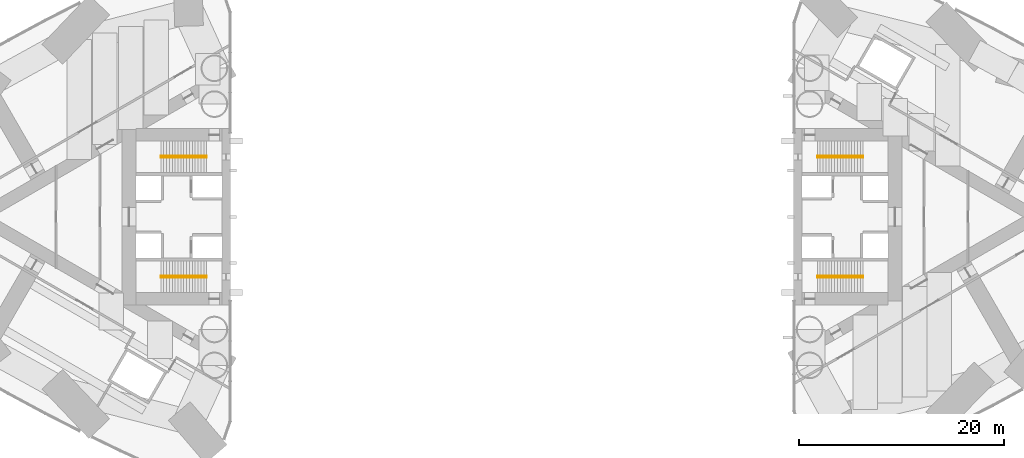
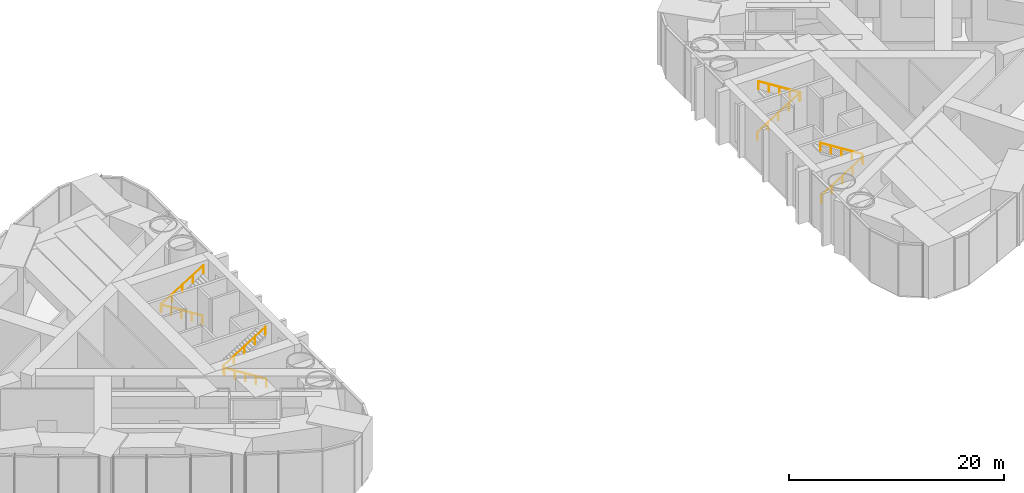
# One storey, part 16 of 16: 8 railings.
"""IFC4 building model written with IfcOpenShell, lengths in metres."""

from ifc_helpers import new_model, si_unit, direction, frame, origin, origin_2d, place, context, subcontext, project, spatial, circle, extrude, material, type_object, element, save


model = new_model("IFC4")

# Units and contexts
model_context = context("Model", 3, precision=1e-05, world=origin(), true_north=direction((0.0, 1.0)))
body_context = subcontext(model_context, "Body", "Model", "MODEL_VIEW")
ifc_project = project(units=[si_unit("LENGTHUNIT", "METRE"), si_unit("AREAUNIT", "SQUARE_METRE"), si_unit("VOLUMEUNIT", "CUBIC_METRE"), si_unit("PLANEANGLEUNIT", "RADIAN"), si_unit("MASSUNIT", "GRAM", prefix="KILO")], contexts=[model_context])

# Site, building, storey
site_placement = place(None, origin())
site = spatial("IfcSite", under=ifc_project, at=site_placement, CompositionType="ELEMENT")
building_placement = place(site_placement, origin())
building = spatial("IfcBuilding", under=site, at=building_placement, Name="Lancet Gate Hotel", CompositionType="ELEMENT")
storey_placement = place(building_placement, frame((0.0, 0.0, 146.699951171875)))
storey = spatial("IfcBuildingStorey", under=building, at=storey_placement, Name="L39", CompositionType="ELEMENT", Elevation=146.699951171875)

# Railings
ifc_material = material(Name="Stainless steel handrail", Category="steel")
railing_type = type_object("IfcRailingType", Name="Stair handrail 900", PredefinedType="HANDRAIL", material=ifc_material)
railing_1_placement = place(storey_placement, frame((-29.800048828125, 5.929931640625, 0.176513671875)))
element("IfcRailing", 1, at=railing_1_placement, inside=storey, type_object=railing_type, Name="ST1 handrail flight 1 L39", PredefinedType="HANDRAIL", context=body_context, shape_type="SweptSolid", body=[
    extrude(circle(Radius=0.02392578125, at=origin_2d()), frame((0.0, 0.0, 0.8759765625), z_axis=(-0.845997938375, 0.0, 0.533186166611), x_axis=(0.0, -1.0, 0.0)), (0.0, 0.0, 1.0), 5.29541015625),
    extrude(circle(Radius=0.02099609375, at=origin_2d()), origin(), (0.0, 0.0, 1.0), 0.851806640625),
    extrude(circle(Radius=0.02099609375, at=origin_2d()), frame((-1.1201171875, 0.0, 0.705810546875)), (0.0, 0.0, 1.0), 0.851806640625),
    extrude(circle(Radius=0.02099609375, at=origin_2d()), frame((-2.239990234375, 0.0, 1.41162109375)), (0.0, 0.0, 1.0), 0.851806640625),
    extrude(circle(Radius=0.02099609375, at=origin_2d()), frame((-3.35986328125, 0.0, 2.11767578125)), (0.0, 0.0, 1.0), 0.851806640625),
    extrude(circle(Radius=0.02099609375, at=origin_2d()), frame((-4.47998046875, 0.0, 2.823486328125)), (0.0, 0.0, 1.0), 0.851806640625),
])
railing_2_placement = place(storey_placement, frame((-34.280029296875, 5.77001953125, 3.176513671875)))
element("IfcRailing", 2, at=railing_2_placement, inside=storey, type_object=railing_type, Name="ST1 handrail flight 2 L39", PredefinedType="HANDRAIL", context=body_context, shape_type="SweptSolid", body=[
    extrude(circle(Radius=0.02392578125, at=origin_2d()), frame((0.0, 0.0, 0.8759765625), z_axis=(0.845997938375, 0.0, 0.533186166611), x_axis=(0.0, 1.0, 0.0)), (0.0, 0.0, 1.0), 5.29541015625),
    extrude(circle(Radius=0.02099609375, at=origin_2d()), origin(), (0.0, 0.0, 1.0), 0.851806640625),
    extrude(circle(Radius=0.02099609375, at=origin_2d()), frame((1.1201171875, 0.0, 0.705810546875)), (0.0, 0.0, 1.0), 0.851806640625),
    extrude(circle(Radius=0.02099609375, at=origin_2d()), frame((2.239990234375, 0.0, 1.41162109375)), (0.0, 0.0, 1.0), 0.851806640625),
    extrude(circle(Radius=0.02099609375, at=origin_2d()), frame((3.35986328125, 0.0, 2.11767578125)), (0.0, 0.0, 1.0), 0.851806640625),
    extrude(circle(Radius=0.02099609375, at=origin_2d()), frame((4.47998046875, 0.0, 2.823486328125)), (0.0, 0.0, 1.0), 0.851806640625),
])
railing_3_placement = place(storey_placement, frame((-29.800048828125, -5.929931640625, 0.176513671875)))
element("IfcRailing", 3, at=railing_3_placement, inside=storey, type_object=railing_type, Name="ST2 handrail flight 1 L39", PredefinedType="HANDRAIL", context=body_context, shape_type="SweptSolid", body=[
    extrude(circle(Radius=0.02392578125, at=origin_2d()), frame((0.0, 0.0, 0.8759765625), z_axis=(-0.845997938375, 0.0, 0.533186166611), x_axis=(0.0, -1.0, 0.0)), (0.0, 0.0, 1.0), 5.29541015625),
    extrude(circle(Radius=0.02099609375, at=origin_2d()), origin(), (0.0, 0.0, 1.0), 0.851806640625),
    extrude(circle(Radius=0.02099609375, at=origin_2d()), frame((-1.1201171875, 0.0, 0.705810546875)), (0.0, 0.0, 1.0), 0.851806640625),
    extrude(circle(Radius=0.02099609375, at=origin_2d()), frame((-2.239990234375, 0.0, 1.41162109375)), (0.0, 0.0, 1.0), 0.851806640625),
    extrude(circle(Radius=0.02099609375, at=origin_2d()), frame((-3.35986328125, 0.0, 2.11767578125)), (0.0, 0.0, 1.0), 0.851806640625),
    extrude(circle(Radius=0.02099609375, at=origin_2d()), frame((-4.47998046875, 0.0, 2.823486328125)), (0.0, 0.0, 1.0), 0.851806640625),
])
for number, where, name in (
    (4, (-34.280029296875, -5.77001953125, 3.176513671875), "ST2 handrail flight 2 L39"),
    (5, (29.800048828125, -5.929931640625, 0.176513671875), "ST3 handrail flight 1 L39"),
):
    element("IfcRailing", number, at=place(storey_placement, frame(where)), inside=storey, type_object=railing_type, Name=name, PredefinedType="HANDRAIL", context=body_context, shape_type="SweptSolid", body=[
        extrude(circle(Radius=0.02392578125, at=origin_2d()), frame((0.0, 0.0, 0.8759765625), z_axis=(0.845997938375, 0.0, 0.533186166611), x_axis=(0.0, 1.0, 0.0)), (0.0, 0.0, 1.0), 5.29541015625),
        extrude(circle(Radius=0.02099609375, at=origin_2d()), origin(), (0.0, 0.0, 1.0), 0.851806640625),
        extrude(circle(Radius=0.02099609375, at=origin_2d()), frame((1.1201171875, 0.0, 0.705810546875)), (0.0, 0.0, 1.0), 0.851806640625),
        extrude(circle(Radius=0.02099609375, at=origin_2d()), frame((2.239990234375, 0.0, 1.41162109375)), (0.0, 0.0, 1.0), 0.851806640625),
        extrude(circle(Radius=0.02099609375, at=origin_2d()), frame((3.35986328125, 0.0, 2.11767578125)), (0.0, 0.0, 1.0), 0.851806640625),
        extrude(circle(Radius=0.02099609375, at=origin_2d()), frame((4.47998046875, 0.0, 2.823486328125)), (0.0, 0.0, 1.0), 0.851806640625),
    ])
railing_4_placement = place(storey_placement, frame((34.280029296875, -5.77001953125, 3.176513671875)))
element("IfcRailing", 6, at=railing_4_placement, inside=storey, type_object=railing_type, Name="ST3 handrail flight 2 L39", PredefinedType="HANDRAIL", context=body_context, shape_type="SweptSolid", body=[
    extrude(circle(Radius=0.02392578125, at=origin_2d()), frame((0.0, 0.0, 0.8759765625), z_axis=(-0.845997938375, 0.0, 0.533186166611), x_axis=(0.0, -1.0, 0.0)), (0.0, 0.0, 1.0), 5.29541015625),
    extrude(circle(Radius=0.02099609375, at=origin_2d()), origin(), (0.0, 0.0, 1.0), 0.851806640625),
    extrude(circle(Radius=0.02099609375, at=origin_2d()), frame((-1.1201171875, 0.0, 0.705810546875)), (0.0, 0.0, 1.0), 0.851806640625),
    extrude(circle(Radius=0.02099609375, at=origin_2d()), frame((-2.239990234375, 0.0, 1.41162109375)), (0.0, 0.0, 1.0), 0.851806640625),
    extrude(circle(Radius=0.02099609375, at=origin_2d()), frame((-3.35986328125, 0.0, 2.11767578125)), (0.0, 0.0, 1.0), 0.851806640625),
    extrude(circle(Radius=0.02099609375, at=origin_2d()), frame((-4.47998046875, 0.0, 2.823486328125)), (0.0, 0.0, 1.0), 0.851806640625),
])
railing_5_placement = place(storey_placement, frame((29.800048828125, 5.929931640625, 0.176513671875)))
element("IfcRailing", 7, at=railing_5_placement, inside=storey, type_object=railing_type, Name="ST4 handrail flight 1 L39", PredefinedType="HANDRAIL", context=body_context, shape_type="SweptSolid", body=[
    extrude(circle(Radius=0.02392578125, at=origin_2d()), frame((0.0, 0.0, 0.8759765625), z_axis=(0.845997938375, 0.0, 0.533186166611), x_axis=(0.0, 1.0, 0.0)), (0.0, 0.0, 1.0), 5.29541015625),
    extrude(circle(Radius=0.02099609375, at=origin_2d()), origin(), (0.0, 0.0, 1.0), 0.851806640625),
    extrude(circle(Radius=0.02099609375, at=origin_2d()), frame((1.1201171875, 0.0, 0.705810546875)), (0.0, 0.0, 1.0), 0.851806640625),
    extrude(circle(Radius=0.02099609375, at=origin_2d()), frame((2.239990234375, 0.0, 1.41162109375)), (0.0, 0.0, 1.0), 0.851806640625),
    extrude(circle(Radius=0.02099609375, at=origin_2d()), frame((3.35986328125, 0.0, 2.11767578125)), (0.0, 0.0, 1.0), 0.851806640625),
    extrude(circle(Radius=0.02099609375, at=origin_2d()), frame((4.47998046875, 0.0, 2.823486328125)), (0.0, 0.0, 1.0), 0.851806640625),
])
railing_6_placement = place(storey_placement, frame((34.280029296875, 5.77001953125, 3.176513671875)))
element("IfcRailing", 8, at=railing_6_placement, inside=storey, type_object=railing_type, Name="ST4 handrail flight 2 L39", PredefinedType="HANDRAIL", context=body_context, shape_type="SweptSolid", body=[
    extrude(circle(Radius=0.02392578125, at=origin_2d()), frame((0.0, 0.0, 0.8759765625), z_axis=(-0.845997938375, 0.0, 0.533186166611), x_axis=(0.0, -1.0, 0.0)), (0.0, 0.0, 1.0), 5.29541015625),
    extrude(circle(Radius=0.02099609375, at=origin_2d()), origin(), (0.0, 0.0, 1.0), 0.851806640625),
    extrude(circle(Radius=0.02099609375, at=origin_2d()), frame((-1.1201171875, 0.0, 0.705810546875)), (0.0, 0.0, 1.0), 0.851806640625),
    extrude(circle(Radius=0.02099609375, at=origin_2d()), frame((-2.239990234375, 0.0, 1.41162109375)), (0.0, 0.0, 1.0), 0.851806640625),
    extrude(circle(Radius=0.02099609375, at=origin_2d()), frame((-3.35986328125, 0.0, 2.11767578125)), (0.0, 0.0, 1.0), 0.851806640625),
    extrude(circle(Radius=0.02099609375, at=origin_2d()), frame((-4.47998046875, 0.0, 2.823486328125)), (0.0, 0.0, 1.0), 0.851806640625),
])

save(model, "model.ifc")
